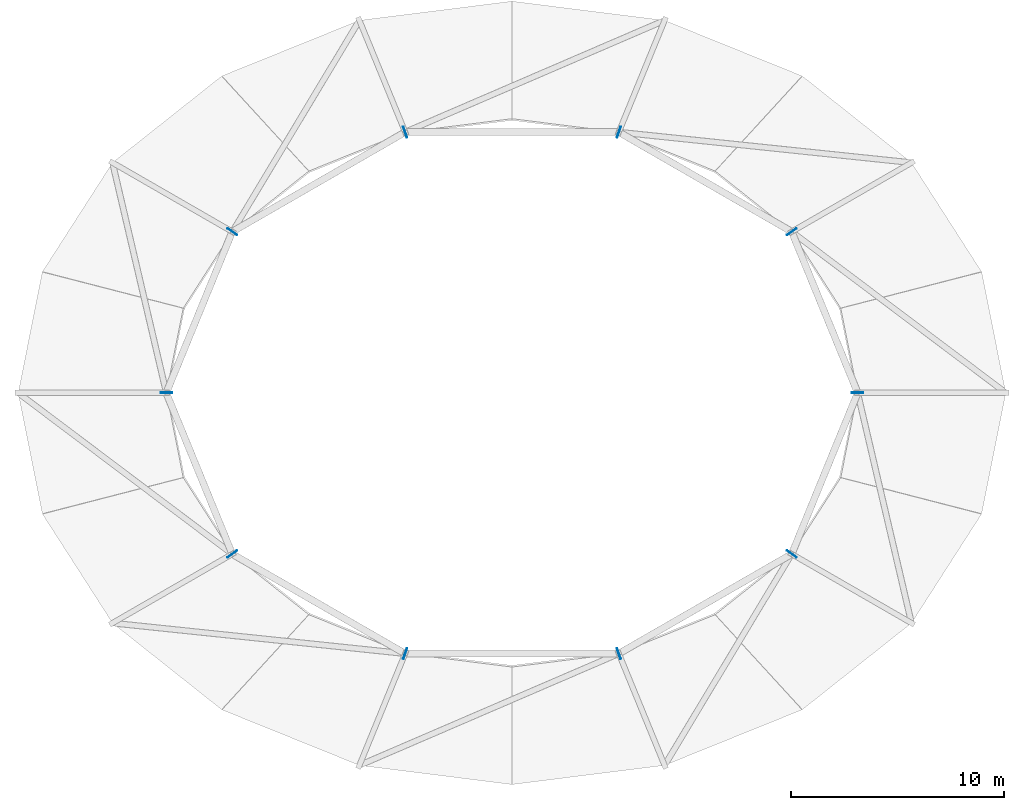
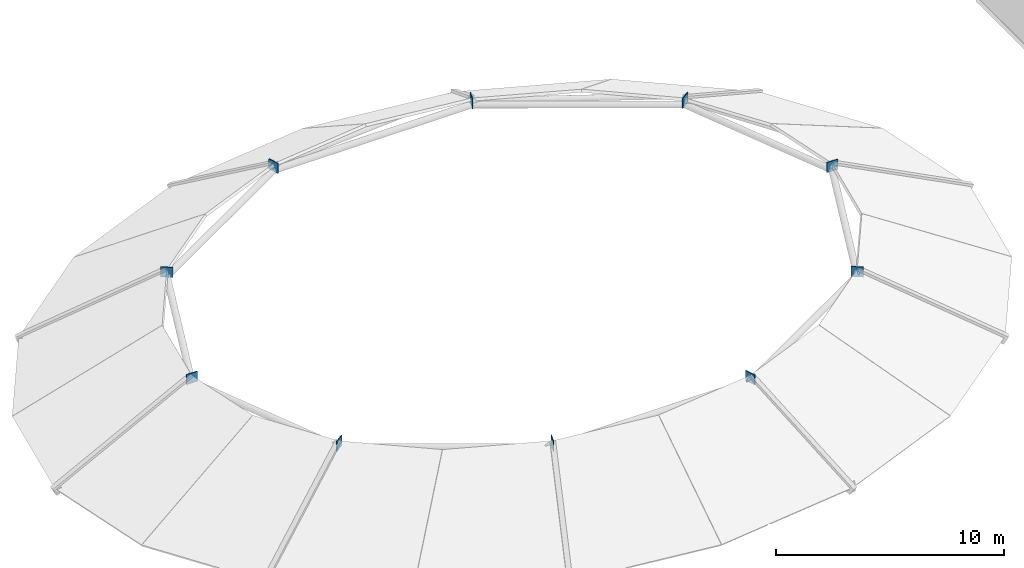
# One storey, part 24 of 46: 10 plates.
"""IFC4 building model written with IfcOpenShell, lengths in metres."""

from ifc_helpers import new_model, si_unit, direction, frame, origin, origin_2d, place, context, subcontext, project, spatial, rectangle, extrude, material, layer, layer_set, type_object, element, save


model = new_model("IFC4")

# Units and contexts
model_context = context("Model", 3, precision=1e-05, world=origin(), true_north=direction((0.0, 1.0)))
body_context = subcontext(model_context, "Body", "Model", "MODEL_VIEW")
ifc_project = project(units=[si_unit("LENGTHUNIT", "METRE"), si_unit("AREAUNIT", "SQUARE_METRE"), si_unit("VOLUMEUNIT", "CUBIC_METRE"), si_unit("PLANEANGLEUNIT", "RADIAN"), si_unit("MASSUNIT", "GRAM", prefix="KILO")], contexts=[model_context])

# Site, building, storey
site_placement = place(None, origin())
site = spatial("IfcSite", under=ifc_project, at=site_placement, CompositionType="ELEMENT")
building_placement = place(site_placement, origin())
building = spatial("IfcBuilding", under=site, at=building_placement, Name="Sollismere Congress Hotel", CompositionType="ELEMENT")
storey_placement = place(building_placement, frame((0.0, 0.0, 19.5)))
storey = spatial("IfcBuildingStorey", under=building, at=storey_placement, Name="L04", CompositionType="ELEMENT", Elevation=19.5)

# Plates
ifc_material = material(Name="Steel ASTM A572 Grade 50", Category="steel")
ifc_layer = layer(ifc_material, 0.0400390625, Name="Steel ASTM A572 Grade 50")
ifc_layer_set = layer_set([ifc_layer], Name="Steel ASTM A572 Grade 50")
plate_type = type_object("IfcPlateType", Name="PL-GS40", PredefinedType="USERDEFINED", material=ifc_layer_set)
for number, where, z_axis, x_axis, name in (
    (1, (45.239990234375, 90.39990234375, 3.550048828125), (0.0, 0.0, 1.0), (1.0, 0.0, 0.0), "Dome ring gusset plate 2-01"),
    (2, (42.138427734375, 97.970703125, 3.550048828125), (0.0, 0.0, 1.0), (0.809016994375, 0.587785252292, 0.0), "Dome ring gusset plate 2-02"),
    (3, (34.0185546875, 102.649658203125, 3.550048828125), (0.0, 0.0, 1.0), (0.309016994375, 0.951056516295, 0.0), "Dome ring gusset plate 2-03"),
    (4, (23.9814453125, 102.649658203125, 3.550048828125), (0.0, 0.0, 1.0), (-0.309016994375, 0.951056516295, 0.0), "Dome ring gusset plate 2-04"),
    (5, (15.861572265625, 97.970703125, 3.550048828125), (0.0, 0.0, 1.0), (-0.809016994375, 0.587785252292, 0.0), "Dome ring gusset plate 2-05"),
    (6, (12.760009765625, 90.39990234375, 3.550048828125), (0.0, 0.0, 1.0), (-1.0, 0.0, 0.0), "Dome ring gusset plate 2-06"),
    (7, (15.861572265625, 82.829345703125, 3.550048828125), (0.0, 0.0, 1.0), (-0.809016994375, -0.587785252292, 0.0), "Dome ring gusset plate 2-07"),
    (8, (23.9814453125, 78.150390625, 3.550048828125), (0.0, 0.0, 1.0), (-0.309016994375, -0.951056516295, 0.0), "Dome ring gusset plate 2-08"),
    (9, (34.0185546875, 78.150390625, 3.550048828125), (0.0, 0.0, 1.0), (0.309016994375, -0.951056516295, 0.0), "Dome ring gusset plate 2-09"),
    (10, (42.138427734375, 82.829345703125, 3.550048828125), (0.0, 0.0, 1.0), (0.809016994375, -0.587785252292, 0.0), "Dome ring gusset plate 2-10"),
):
    element("IfcPlate", number, at=place(storey_placement, frame(where, z_axis=z_axis, x_axis=x_axis)), inside=storey, type_object=plate_type, Name=name, ObjectType="GUSSET PLATE", PredefinedType="USERDEFINED", context=body_context, shape_type="SweptSolid", body=[
        extrude(rectangle(XDim=0.5400390625, YDim=0.0400390625, at=origin_2d()), origin(), (0.0, 0.0, 1.0), 0.5400390625),
    ])

save(model, "model.ifc")
